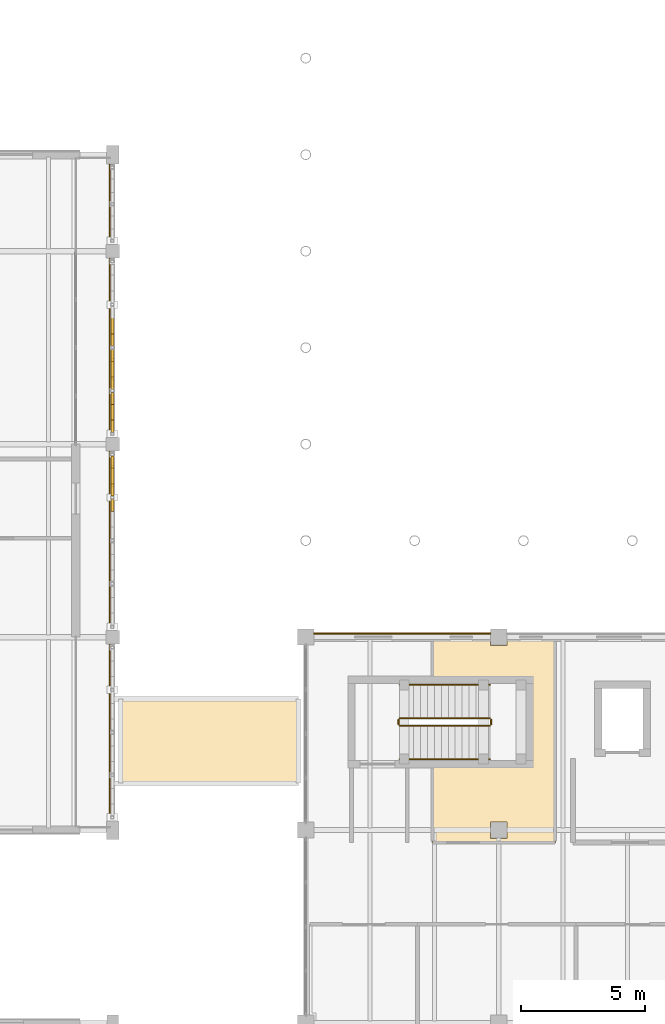
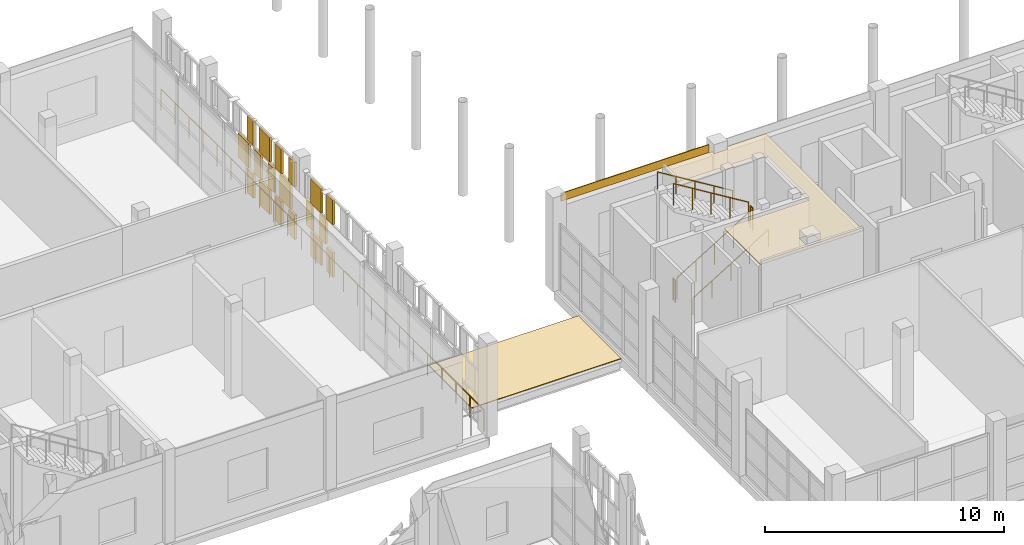
# One storey, part 124 of 138: 21 coverings, 7 railings.
"""IFC4 building model written with IfcOpenShell, lengths in metres."""

import ifcopenshell
import ifcopenshell.guid

model = None  # the IFC model being written
_history = None  # IfcOwnerHistory: only IFC2X3 demands one
_inside = {}  # id of a spatial element -> (the spatial element, [elements in it])
_under = {}  # id of a project, library or spatial element -> (it, [spatial elements below it])
_declared = {}  # id of a project -> (the project, [libraries it declares])
_typed = {}  # id of a type object -> (the type object, [elements of that type])
_made_of = {}  # id of a material, layer set ... -> (it, [elements and type objects made of it])


def new_model(schema):
    """Start an empty IFC model of exactly this schema.

    Asked for "IFC4X3", IfcOpenShell would pick the latest addendum, in which some entities
    have other attributes; the version numbers below select the first issue.
    IFC2X3 requires an IfcOwnerHistory on every rooted entity: one is made here for all.
    """
    global model, _history
    if schema == "IFC4X3":
        model = ifcopenshell.file(schema_version=(4, 3, 0, 0))
    else:
        model = ifcopenshell.file(schema=schema)
    _inside.clear()
    _under.clear()
    _declared.clear()
    _typed.clear()
    _made_of.clear()
    _history = None
    if model.schema == "IFC2X3":
        org = make("IfcOrganization", Name="unknown")
        user = make(
            "IfcPersonAndOrganization",
            ThePerson=make("IfcPerson", FamilyName="unknown"),
            TheOrganization=org,
        )
        app = make(
            "IfcApplication",
            ApplicationDeveloper=org,
            Version="unknown",
            ApplicationFullName="unknown",
            ApplicationIdentifier="unknown",
        )
        _history = make(
            "IfcOwnerHistory",
            OwningUser=user,
            OwningApplication=app,
            ChangeAction="ADDED",
            CreationDate=0,
        )
    return model


def make(cls, **values):
    """One entity of the class cls with the attributes given. An attribute that is None is left unset."""
    return model.create_entity(
        cls, **{name: value for name, value in values.items() if value is not None}
    )


def rooted(cls, **values):
    """An entity with a GlobalId (a new one), such as an element, a storey or a relation."""
    return make(cls, GlobalId=ifcopenshell.guid.new(), OwnerHistory=_history, **values)


def si_unit(unit_type, name, prefix=None):
    """IfcSIUnit, for example si_unit("LENGTHUNIT", "METRE", prefix="MILLI")."""
    return make("IfcSIUnit", UnitType=unit_type, Prefix=prefix, Name=name)


def assignment(units):
    """IfcUnitAssignment: the units of a project."""
    return None if units is None else make("IfcUnitAssignment", Units=units)


def point(xyz):
    """IfcCartesianPoint."""
    return None if xyz is None else make("IfcCartesianPoint", Coordinates=xyz)


def direction(xyz):
    """IfcDirection."""
    return None if xyz is None else make("IfcDirection", DirectionRatios=xyz)


def frame(location, z_axis=None, x_axis=None):
    """IfcAxis2Placement3D, a coordinate frame: its origin and axes. An axis left out is left unset."""
    return make(
        "IfcAxis2Placement3D",
        Location=point(location),
        Axis=direction(z_axis),
        RefDirection=direction(x_axis),
    )


def frame_2d(location, x_axis=None):
    """IfcAxis2Placement2D, a coordinate frame in the plane: its origin and x axis."""
    return make(
        "IfcAxis2Placement2D", Location=point(location), RefDirection=direction(x_axis)
    )


def origin():
    """The frame at (0, 0, 0) with its axes left unset."""
    return frame((0.0, 0.0, 0.0))


def origin_2d():
    """The frame at (0, 0) in the plane with its x axis left unset."""
    return frame_2d((0.0, 0.0))


def place(relative_to, where):
    """IfcLocalPlacement: puts the frame where relative to a parent placement (None: the world)."""
    return make(
        "IfcLocalPlacement", PlacementRelTo=relative_to, RelativePlacement=where
    )


def context(
    kind, dimensions, precision=None, world=None, true_north=None, identifier=None
):
    """IfcGeometricRepresentationContext, for example the 3D "Model" context."""
    return make(
        "IfcGeometricRepresentationContext",
        ContextIdentifier=identifier,
        ContextType=kind,
        CoordinateSpaceDimension=dimensions,
        Precision=precision,
        WorldCoordinateSystem=world,
        TrueNorth=true_north,
    )


def subcontext(parent, identifier, kind, view, scale=None):
    """IfcGeometricRepresentationSubContext, for example "Body" below "Model"."""
    return make(
        "IfcGeometricRepresentationSubContext",
        ContextIdentifier=identifier,
        ContextType=kind,
        ParentContext=parent,
        TargetScale=scale,
        TargetView=view,
    )


def project(units=None, contexts=None):
    """IfcProject with its units and contexts."""
    return rooted(
        "IfcProject",
        Name="project",
        RepresentationContexts=contexts,
        UnitsInContext=assignment(units),
    )


def spatial(cls, under=None, at=None, **own):
    """A site, building, storey or space (cls), placed at a placement, below another one or the project."""
    s = rooted(cls, ObjectPlacement=at, **own)
    if under is not None:
        _under.setdefault(under.id(), (under, []))[1].append(s)
    return s


def polyline(points):
    """IfcPolyline through the points."""
    return make("IfcPolyline", Points=[point(p) for p in points])


def profile(cls, at=None, kind="AREA", **sizes):
    """A parametric profile (cls). Its sizes go by their IFC names, for example OverallWidth=200.0."""
    return make(cls, ProfileType=kind, Position=at, **sizes)


def rectangle(**sizes):
    """IfcRectangleProfileDef."""
    return profile("IfcRectangleProfileDef", **sizes)


def circle(**sizes):
    """IfcCircleProfileDef."""
    return profile("IfcCircleProfileDef", **sizes)


def outline(outer, holes=None, kind="AREA"):
    """IfcArbitraryClosedProfileDef: a profile drawn as a closed curve; with holes, ...WithVoids."""
    if holes is None:
        return make("IfcArbitraryClosedProfileDef", ProfileType=kind, OuterCurve=outer)
    return make(
        "IfcArbitraryProfileDefWithVoids",
        ProfileType=kind,
        OuterCurve=outer,
        InnerCurves=holes,
    )


def extrude(swept, where, along, depth):
    """IfcExtrudedAreaSolid: the profile swept, set in the frame where, extruded along a direction by depth."""
    return make(
        "IfcExtrudedAreaSolid",
        SweptArea=swept,
        Position=where,
        ExtrudedDirection=direction(along),
        Depth=depth,
    )


def shape(context_of_items, identifier, shape_type, items):
    """IfcShapeRepresentation: the items that make up one representation, for example the "Body"."""
    return make(
        "IfcShapeRepresentation",
        ContextOfItems=context_of_items,
        RepresentationIdentifier=identifier,
        RepresentationType=shape_type,
        Items=items,
    )


def material(Name=None, Category=None):
    """IfcMaterial."""
    return make("IfcMaterial", Name=Name, Category=Category)


def layer(
    of_material, thickness, ventilated=None, Name=None, Category=None, Priority=None
):
    """IfcMaterialLayer: one layer of a wall or slab, of a material (None: an air gap)."""
    return make(
        "IfcMaterialLayer",
        Material=of_material,
        LayerThickness=thickness,
        IsVentilated=ventilated,
        Name=Name,
        Category=Category,
        Priority=Priority,
    )


def layer_set(layers, Name=None):
    """IfcMaterialLayerSet."""
    return make("IfcMaterialLayerSet", MaterialLayers=layers, LayerSetName=Name)


def made_of(thing, what):
    """Note that an element or type object is made of a material, layer set ...; save() writes the relation."""
    if what is not None:
        _made_of.setdefault(what.id(), (what, []))[1].append(thing)
    return thing


def type_object(cls, material=None, **own):
    """A type object (cls), such as IfcWallType, which elements share."""
    return made_of(rooted(cls, **own), material)


def element(
    cls,
    number,
    at=None,
    inside=None,
    cuts=None,
    type_object=None,
    material=None,
    context=None,
    identifier="Body",
    shape_type=None,
    held_by="IfcProductDefinitionShape",
    body=None,
    shapes=None,
    **own,
):
    """One element of the class cls, such as IfcWall. Its Tag is "e" and its number.

    at: its placement. inside: the storey or other place that contains it. cuts: it is an
    opening in that element (IfcRelVoidsElement). A single representation is given by context,
    identifier, shape_type and body (its items); several are given by shapes. held_by: the class
    of the entity that holds the representations. save() writes the other relations.
    """
    e = rooted(cls, Tag="e%d" % number, ObjectPlacement=at, **own)
    if body is not None:
        shapes = [shape(context, identifier, shape_type, body)]
    if shapes is not None:
        e.Representation = make(held_by, Representations=shapes)
    if inside is not None:
        _inside.setdefault(inside.id(), (inside, []))[1].append(e)
    if cuts is not None:
        rooted(
            "IfcRelVoidsElement", RelatingBuildingElement=cuts, RelatedOpeningElement=e
        )
    if type_object is not None:
        _typed.setdefault(type_object.id(), (type_object, []))[1].append(e)
    return made_of(e, material)


def aggregate(whole, parts):
    """IfcRelAggregates: a whole, such as a stair, and the parts it consists of."""
    return rooted("IfcRelAggregates", RelatingObject=whole, RelatedObjects=parts)


def save(model, path):
    """Write the relations noted so far, then the file.

    IfcRelAggregates (storeys below a building ...), IfcRelContainedInSpatialStructure (elements
    in a storey), IfcRelDefinesByType, IfcRelAssociatesMaterial and IfcRelDeclares: one each for
    every whole, place, type object, material and project.
    """
    for whole, parts in _under.values():
        aggregate(whole, parts)
    for where, things in _inside.values():
        rooted(
            "IfcRelContainedInSpatialStructure",
            RelatedElements=things,
            RelatingStructure=where,
        )
    for kind, things in _typed.values():
        rooted("IfcRelDefinesByType", RelatedObjects=things, RelatingType=kind)
    for what, things in _made_of.values():
        rooted("IfcRelAssociatesMaterial", RelatedObjects=things, RelatingMaterial=what)
    for by, libraries in _declared.values():
        rooted("IfcRelDeclares", RelatingContext=by, RelatedDefinitions=libraries)
    model.write(path)


model = new_model("IFC4")

# Units and contexts
model_context = context("Model", 3, precision=1e-05, world=origin(), true_north=direction((0.0, 1.0)))
body_context = subcontext(model_context, "Body", "Model", "MODEL_VIEW")
ifc_project = project(units=[si_unit("LENGTHUNIT", "METRE"), si_unit("AREAUNIT", "SQUARE_METRE"), si_unit("VOLUMEUNIT", "CUBIC_METRE"), si_unit("PLANEANGLEUNIT", "RADIAN"), si_unit("MASSUNIT", "GRAM", prefix="KILO")], contexts=[model_context])

# Site, building, storey
site_placement = place(None, origin())
site = spatial("IfcSite", under=ifc_project, at=site_placement, CompositionType="ELEMENT")
building_placement = place(site_placement, origin())
building = spatial("IfcBuilding", under=site, at=building_placement, Name="Celorna Specialist Clinic", CompositionType="ELEMENT")
storey_placement = place(building_placement, frame((0.0, 0.0, 4.800048828125)))
storey = spatial("IfcBuildingStorey", under=building, at=storey_placement, Name="L01", CompositionType="ELEMENT", Elevation=4.800048828125)

# Railing
ifc_material_1 = material(Name="Stainless steel and laminated glass balustrade", Category="steel")
railing_type_1 = type_object("IfcRailingType", Name="BL-01", PredefinedType="BALUSTRADE", material=ifc_material_1)
railing_1_placement = place(storey_placement, frame((46.679931640625, 62.280029296875, 0.0)))
element("IfcRailing", 1, at=railing_1_placement, inside=storey, type_object=railing_type_1, Name="Imaging Cloister Veranda perimeter balustrade 3", PredefinedType="BALUSTRADE", context=body_context, shape_type="SweptSolid", body=[
    extrude(circle(Radius=0.02392578125, at=origin_2d()), frame((0.0, 0.0, 1.09619140625), z_axis=(0.0, -1.0, 0.0), x_axis=(1.0, 0.0, 0.0)), (0.0, 0.0, 1.0), 27.06005859375),
    extrude(circle(Radius=0.02099609375, at=origin_2d()), origin(), (0.0, 0.0, 1.0), 1.072021484375),
    extrude(circle(Radius=0.02099609375, at=origin_2d()), frame((0.0, -1.176513671875, 0.0)), (0.0, 0.0, 1.0), 1.072021484375),
    extrude(circle(Radius=0.02099609375, at=origin_2d()), frame((0.0, -2.35302734375, 0.0)), (0.0, 0.0, 1.0), 1.072021484375),
    extrude(circle(Radius=0.02099609375, at=origin_2d()), frame((0.0, -3.529541015625, 0.0)), (0.0, 0.0, 1.0), 1.072021484375),
    extrude(circle(Radius=0.02099609375, at=origin_2d()), frame((0.0, -4.7060546875, 0.0)), (0.0, 0.0, 1.0), 1.072021484375),
    extrude(circle(Radius=0.02099609375, at=origin_2d()), frame((0.0, -5.882568359375, 0.0)), (0.0, 0.0, 1.0), 1.072021484375),
    extrude(circle(Radius=0.02099609375, at=origin_2d()), frame((0.0, -7.05908203125, 0.0)), (0.0, 0.0, 1.0), 1.072021484375),
    extrude(circle(Radius=0.02099609375, at=origin_2d()), frame((0.0, -8.235595703125, 0.0)), (0.0, 0.0, 1.0), 1.072021484375),
    extrude(circle(Radius=0.02099609375, at=origin_2d()), frame((0.0, -9.412109375, 0.0)), (0.0, 0.0, 1.0), 1.072021484375),
    extrude(circle(Radius=0.02099609375, at=origin_2d()), frame((0.0, -10.588623046875, 0.0)), (0.0, 0.0, 1.0), 1.072021484375),
    extrude(circle(Radius=0.02099609375, at=origin_2d()), frame((0.0, -11.76513671875, 0.0)), (0.0, 0.0, 1.0), 1.072021484375),
    extrude(circle(Radius=0.02099609375, at=origin_2d()), frame((0.0, -12.941650390625, 0.0)), (0.0, 0.0, 1.0), 1.072021484375),
    extrude(circle(Radius=0.02099609375, at=origin_2d()), frame((0.0, -14.118408203125, 0.0)), (0.0, 0.0, 1.0), 1.072021484375),
    extrude(circle(Radius=0.02099609375, at=origin_2d()), frame((0.0, -15.294921875, 0.0)), (0.0, 0.0, 1.0), 1.072021484375),
    extrude(circle(Radius=0.02099609375, at=origin_2d()), frame((0.0, -16.471435546875, 0.0)), (0.0, 0.0, 1.0), 1.072021484375),
    extrude(circle(Radius=0.02099609375, at=origin_2d()), frame((0.0, -17.64794921875, 0.0)), (0.0, 0.0, 1.0), 1.072021484375),
    extrude(circle(Radius=0.02099609375, at=origin_2d()), frame((0.0, -18.824462890625, 0.0)), (0.0, 0.0, 1.0), 1.072021484375),
    extrude(circle(Radius=0.02099609375, at=origin_2d()), frame((0.0, -20.0009765625, 0.0)), (0.0, 0.0, 1.0), 1.072021484375),
    extrude(circle(Radius=0.02099609375, at=origin_2d()), frame((0.0, -21.177490234375, 0.0)), (0.0, 0.0, 1.0), 1.072021484375),
    extrude(circle(Radius=0.02099609375, at=origin_2d()), frame((0.0, -22.35400390625, 0.0)), (0.0, 0.0, 1.0), 1.072021484375),
    extrude(circle(Radius=0.02099609375, at=origin_2d()), frame((0.0, -23.530517578125, 0.0)), (0.0, 0.0, 1.0), 1.072021484375),
    extrude(circle(Radius=0.02099609375, at=origin_2d()), frame((0.0, -24.70703125, 0.0)), (0.0, 0.0, 1.0), 1.072021484375),
    extrude(circle(Radius=0.02099609375, at=origin_2d()), frame((0.0, -25.883544921875, 0.0)), (0.0, 0.0, 1.0), 1.072021484375),
    extrude(circle(Radius=0.02099609375, at=origin_2d()), frame((0.0, -27.06005859375, 0.0)), (0.0, 0.0, 1.0), 1.072021484375),
])

# Coverings
ifc_material_2 = material(Name="Hygienic acoustic mineral-fibre ceiling")
ifc_layer_1 = layer(ifc_material_2, 0.030029296875, Name="Hygienic acoustic mineral-fibre ceiling")
ifc_layer_set_1 = layer_set([ifc_layer_1], Name="Hygienic acoustic mineral-fibre ceiling")
covering_type_1 = type_object("IfcCoveringType", Name="CE-01", PredefinedType="CEILING", material=ifc_layer_set_1)
covering_1_placement = place(storey_placement, frame((0.0, 0.0, 4.329833984375)))
element("IfcCovering", 2, at=covering_1_placement, inside=storey, type_object=covering_type_1, Name="Acoustic ceiling L01-113", PredefinedType="CEILING", context=body_context, shape_type="SweptSolid", body=[
    extrude(outline(polyline([(64.68505859375, 42.7451171875), (64.68505859375, 34.5849609375), (59.705078125, 34.5849609375), (59.705078125, 37.635009765625), (63.784912109375, 37.635009765625), (63.784912109375, 41.304931640625), (59.705078125, 41.304931640625), (59.705078125, 42.7451171875), (62.070068359375, 42.7451171875), (62.070068359375, 42.570068359375), (62.72998046875, 42.570068359375), (62.72998046875, 42.7451171875), (64.68505859375, 42.7451171875)]), holes=[polyline([(62.72998046875, 35.429931640625), (62.070068359375, 35.429931640625), (62.070068359375, 34.77001953125), (62.72998046875, 34.77001953125), (62.72998046875, 35.429931640625)])]), origin(), (0.0, 0.0, 1.0), 0.030029296875),
])
ifc_material_3 = material(Name="Pero Pinheiro Lioz limestone rainscreen cladding", Category="masonry")
ifc_layer_2 = layer(ifc_material_3, 0.044921875, Name="Pero Pinheiro Lioz limestone rainscreen cladding")
ifc_layer_set_2 = layer_set([ifc_layer_2], Name="Pero Pinheiro Lioz limestone rainscreen cladding")
covering_type_2 = type_object("IfcCoveringType", Name="CL-01", PredefinedType="CLADDING", material=ifc_layer_set_2)
covering_2_placement = place(storey_placement, frame((58.5, 43.047607421875, 4.139892578125), z_axis=(0.0, 0.0, 1.0), x_axis=(1.0, 0.0, 0.0)))
element("IfcCovering", 3, at=covering_2_placement, inside=storey, type_object=covering_type_2, Name="Lioz spandrel cladding #387", PredefinedType="CLADDING", context=body_context, shape_type="SweptSolid", body=[
    extrude(rectangle(XDim=7.14990234375, YDim=0.044921875, at=origin_2d()), origin(), (0.0, 0.0, 1.0), 0.39990234375),
])
ifc_material_4 = material(Name="Perforated terracotta brick weave cladding", Category="masonry")
ifc_layer_3 = layer(ifc_material_4, 0.114990234375, Name="Perforated terracotta brick weave cladding")
ifc_layer_set_3 = layer_set([ifc_layer_3], Name="Perforated terracotta brick weave cladding")
covering_type_3 = type_object("IfcCoveringType", Name="CL-02", PredefinedType="CLADDING", material=ifc_layer_set_3)
for number, where, z_axis, x_axis, name in (
    (4, (46.7900390625, 48.235107421875, 0.10009765625), (0.0, 0.0, 1.0), (0.0, 1.0, 0.0), "Woven perforated terracotta brick course #1284"),
    (5, (46.7900390625, 48.235107421875, 2.793212890625), (0.0, 0.0, 1.0), (0.0, 1.0, 0.0), "Woven perforated terracotta brick course #1287"),
):
    element("IfcCovering", number, at=place(storey_placement, frame(where, z_axis=z_axis, x_axis=x_axis)), inside=storey, type_object=covering_type_3, Name=name, PredefinedType="CLADDING", context=body_context, shape_type="SweptSolid", body=[
        extrude(rectangle(XDim=0.494873046875, YDim=0.114990234375, at=origin_2d()), origin(), (0.0, 0.0, 1.0), 1.24658203125),
    ])
covering_3_placement = place(storey_placement, frame((46.7900390625, 49.413818359375, 0.10009765625), z_axis=(0.0, 0.0, 1.0), x_axis=(0.0, 1.0, 0.0)))
element("IfcCovering", 6, at=covering_3_placement, inside=storey, type_object=covering_type_3, Name="Woven perforated terracotta brick course #1288", PredefinedType="CLADDING", context=body_context, shape_type="SweptSolid", body=[
    extrude(rectangle(XDim=0.876220703125, YDim=0.114990234375, at=origin_2d()), origin(), (0.0, 0.0, 1.0), 1.24658203125),
])
for number, where, z_axis, x_axis, name in (
    (7, (46.7900390625, 48.849853515625, 1.44677734375), (0.0, 0.0, 1.0), (0.0, 1.0, 0.0), "Woven perforated terracotta brick course #1289"),
    (8, (46.7900390625, 49.9775390625, 1.44677734375), (0.0, 0.0, 1.0), (0.0, 1.0, 0.0), "Woven perforated terracotta brick course #1290"),
):
    element("IfcCovering", number, at=place(storey_placement, frame(where, z_axis=z_axis, x_axis=x_axis)), inside=storey, type_object=covering_type_3, Name=name, PredefinedType="CLADDING", context=body_context, shape_type="SweptSolid", body=[
        extrude(rectangle(XDim=0.494873046875, YDim=0.114990234375, at=origin_2d()), origin(), (0.0, 0.0, 1.0), 1.24658203125),
    ])
covering_4_placement = place(storey_placement, frame((46.7900390625, 49.413818359375, 2.793212890625), z_axis=(0.0, 0.0, 1.0), x_axis=(0.0, 1.0, 0.0)))
element("IfcCovering", 9, at=covering_4_placement, inside=storey, type_object=covering_type_3, Name="Woven perforated terracotta brick course #1291", PredefinedType="CLADDING", context=body_context, shape_type="SweptSolid", body=[
    extrude(rectangle(XDim=0.876220703125, YDim=0.114990234375, at=origin_2d()), origin(), (0.0, 0.0, 1.0), 1.24658203125),
])
for number, where, z_axis, x_axis, name in (
    (10, (46.7900390625, 51.422607421875, 0.10009765625), (0.0, 0.0, 1.0), (0.0, 1.0, 0.0), "Woven perforated terracotta brick course #1292"),
    (11, (46.7900390625, 52.550048828125, 0.10009765625), (0.0, 0.0, 1.0), (0.0, 1.0, 0.0), "Woven perforated terracotta brick course #1293"),
):
    element("IfcCovering", number, at=place(storey_placement, frame(where, z_axis=z_axis, x_axis=x_axis)), inside=storey, type_object=covering_type_3, Name=name, PredefinedType="CLADDING", context=body_context, shape_type="SweptSolid", body=[
        extrude(rectangle(XDim=0.494873046875, YDim=0.114990234375, at=origin_2d()), origin(), (0.0, 0.0, 1.0), 1.24658203125),
    ])
covering_5_placement = place(storey_placement, frame((46.7900390625, 51.986083984375, 1.44677734375), z_axis=(0.0, 0.0, 1.0), x_axis=(0.0, 1.0, 0.0)))
element("IfcCovering", 12, at=covering_5_placement, inside=storey, type_object=covering_type_3, Name="Woven perforated terracotta brick course #1294", PredefinedType="CLADDING", context=body_context, shape_type="SweptSolid", body=[
    extrude(rectangle(XDim=0.876220703125, YDim=0.114990234375, at=origin_2d()), origin(), (0.0, 0.0, 1.0), 1.24658203125),
])
for number, where, z_axis, x_axis, name in (
    (13, (46.7900390625, 51.422607421875, 2.793212890625), (0.0, 0.0, 1.0), (0.0, 1.0, 0.0), "Woven perforated terracotta brick course #1295"),
    (14, (46.7900390625, 52.550048828125, 2.793212890625), (0.0, 0.0, 1.0), (0.0, 1.0, 0.0), "Woven perforated terracotta brick course #1296"),
):
    element("IfcCovering", number, at=place(storey_placement, frame(where, z_axis=z_axis, x_axis=x_axis)), inside=storey, type_object=covering_type_3, Name=name, PredefinedType="CLADDING", context=body_context, shape_type="SweptSolid", body=[
        extrude(rectangle(XDim=0.494873046875, YDim=0.114990234375, at=origin_2d()), origin(), (0.0, 0.0, 1.0), 1.24658203125),
    ])
covering_6_placement = place(storey_placement, frame((46.7900390625, 53.728759765625, 0.10009765625), z_axis=(0.0, 0.0, 1.0), x_axis=(0.0, 1.0, 0.0)))
element("IfcCovering", 15, at=covering_6_placement, inside=storey, type_object=covering_type_3, Name="Woven perforated terracotta brick course #1297", PredefinedType="CLADDING", context=body_context, shape_type="SweptSolid", body=[
    extrude(rectangle(XDim=0.876220703125, YDim=0.114990234375, at=origin_2d()), origin(), (0.0, 0.0, 1.0), 1.24658203125),
])
for number, where, z_axis, x_axis, name in (
    (16, (46.7900390625, 53.1650390625, 1.44677734375), (0.0, 0.0, 1.0), (0.0, 1.0, 0.0), "Woven perforated terracotta brick course #1298"),
    (17, (46.7900390625, 54.29248046875, 1.44677734375), (0.0, 0.0, 1.0), (0.0, 1.0, 0.0), "Woven perforated terracotta brick course #1299"),
):
    element("IfcCovering", number, at=place(storey_placement, frame(where, z_axis=z_axis, x_axis=x_axis)), inside=storey, type_object=covering_type_3, Name=name, PredefinedType="CLADDING", context=body_context, shape_type="SweptSolid", body=[
        extrude(rectangle(XDim=0.494873046875, YDim=0.114990234375, at=origin_2d()), origin(), (0.0, 0.0, 1.0), 1.24658203125),
    ])
covering_7_placement = place(storey_placement, frame((46.7900390625, 53.728759765625, 2.793212890625), z_axis=(0.0, 0.0, 1.0), x_axis=(0.0, 1.0, 0.0)))
element("IfcCovering", 18, at=covering_7_placement, inside=storey, type_object=covering_type_3, Name="Woven perforated terracotta brick course #1300", PredefinedType="CLADDING", context=body_context, shape_type="SweptSolid", body=[
    extrude(rectangle(XDim=0.876220703125, YDim=0.114990234375, at=origin_2d()), origin(), (0.0, 0.0, 1.0), 1.24658203125),
])
covering_8_placement = place(storey_placement, frame((46.7900390625, 54.907470703125, 0.10009765625), z_axis=(0.0, 0.0, 1.0), x_axis=(0.0, 1.0, 0.0)))
element("IfcCovering", 19, at=covering_8_placement, inside=storey, type_object=covering_type_3, Name="Woven perforated terracotta brick course #1301", PredefinedType="CLADDING", context=body_context, shape_type="SweptSolid", body=[
    extrude(rectangle(XDim=0.494873046875, YDim=0.114990234375, at=origin_2d()), origin(), (0.0, 0.0, 1.0), 1.24658203125),
])
covering_9_placement = place(storey_placement, frame((46.7900390625, 55.47119140625, 1.44677734375), z_axis=(0.0, 0.0, 1.0), x_axis=(0.0, 1.0, 0.0)))
element("IfcCovering", 20, at=covering_9_placement, inside=storey, type_object=covering_type_3, Name="Woven perforated terracotta brick course #1303", PredefinedType="CLADDING", context=body_context, shape_type="SweptSolid", body=[
    extrude(rectangle(XDim=0.876220703125, YDim=0.114990234375, at=origin_2d()), origin(), (0.0, 0.0, 1.0), 1.24658203125),
])
covering_10_placement = place(storey_placement, frame((46.7900390625, 54.907470703125, 2.793212890625), z_axis=(0.0, 0.0, 1.0), x_axis=(0.0, 1.0, 0.0)))
element("IfcCovering", 21, at=covering_10_placement, inside=storey, type_object=covering_type_3, Name="Woven perforated terracotta brick course #1304", PredefinedType="CLADDING", context=body_context, shape_type="SweptSolid", body=[
    extrude(rectangle(XDim=0.494873046875, YDim=0.114990234375, at=origin_2d()), origin(), (0.0, 0.0, 1.0), 1.24658203125),
])

# Railings
ifc_material_5 = material(Name="Powder-coated steel S355", Category="steel")
railing_type_2 = type_object("IfcRailingType", Name="GR-01", PredefinedType="GUARDRAIL", material=ifc_material_5)
railing_2_placement = place(storey_placement, frame((58.39990234375, 39.320068359375, 0.17138671875)))
element("IfcRailing", 22, at=railing_2_placement, inside=storey, type_object=railing_type_2, Name="L01 ST-08 stair guard 1", PredefinedType="GUARDRAIL", context=body_context, shape_type="SweptSolid", body=[
    extrude(circle(Radius=0.02392578125, at=origin_2d()), frame((0.0, 0.0, 1.09619140625), z_axis=(0.852865859571, 0.0, 0.52213008492), x_axis=(0.0, 1.0, 0.0)), (0.0, 0.0, 1.0), 4.26806640625),
    extrude(circle(Radius=0.02099609375, at=origin_2d()), origin(), (0.0, 0.0, 1.0), 1.072021484375),
    extrude(circle(Radius=0.02099609375, at=origin_2d()), frame((0.91015625, 0.0, 0.55712890625)), (0.0, 0.0, 1.0), 1.072021484375),
    extrude(circle(Radius=0.02099609375, at=origin_2d()), frame((1.820068359375, 0.0, 1.1142578125)), (0.0, 0.0, 1.0), 1.072021484375),
    extrude(circle(Radius=0.02099609375, at=origin_2d()), frame((2.72998046875, 0.0, 1.67138671875)), (0.0, 0.0, 1.0), 1.072021484375),
    extrude(circle(Radius=0.02099609375, at=origin_2d()), frame((3.64013671875, 0.0, 2.228515625)), (0.0, 0.0, 1.0), 1.072021484375),
])
railing_3_placement = place(storey_placement, frame((62.090087890625, 39.3701171875, 2.39990234375)))
element("IfcRailing", 23, at=railing_3_placement, inside=storey, type_object=railing_type_2, Name="L01 ST-08 stair guard 2", PredefinedType="GUARDRAIL", context=body_context, shape_type="SweptSolid", body=[
    extrude(circle(Radius=0.02392578125, at=origin_2d()), frame((0.0, 0.0, 1.09619140625), z_axis=(0.0, 1.0, 0.0), x_axis=(-1.0, 0.0, 0.0)), (0.0, 0.0, 1.0), 0.199951171875),
    extrude(circle(Radius=0.02099609375, at=origin_2d()), origin(), (0.0, 0.0, 1.0), 1.072021484375),
    extrude(circle(Radius=0.02099609375, at=origin_2d()), frame((0.0, 0.199951171875, 0.0)), (0.0, 0.0, 1.0), 1.072021484375),
])
railing_4_placement = place(storey_placement, frame((62.0400390625, 39.6201171875, 2.5712890625)))
element("IfcRailing", 24, at=railing_4_placement, inside=storey, type_object=railing_type_2, Name="L01 ST-08 stair guard 3", PredefinedType="GUARDRAIL", context=body_context, shape_type="SweptSolid", body=[
    extrude(circle(Radius=0.02392578125, at=origin_2d()), frame((0.0, 0.0, 1.09619140625), z_axis=(-0.852840387347, 0.0, 0.522171689878), x_axis=(0.0, -1.0, 0.0)), (0.0, 0.0, 1.0), 4.268310546875),
    extrude(circle(Radius=0.02099609375, at=origin_2d()), origin(), (0.0, 0.0, 1.0), 1.072021484375),
    extrude(circle(Radius=0.02099609375, at=origin_2d()), frame((-0.91015625, 0.0, 0.55712890625)), (0.0, 0.0, 1.0), 1.072021484375),
    extrude(circle(Radius=0.02099609375, at=origin_2d()), frame((-1.820068359375, 0.0, 1.1142578125)), (0.0, 0.0, 1.0), 1.072021484375),
    extrude(circle(Radius=0.02099609375, at=origin_2d()), frame((-2.72998046875, 0.0, 1.671630859375)), (0.0, 0.0, 1.0), 1.072021484375),
    extrude(circle(Radius=0.02099609375, at=origin_2d()), frame((-3.64013671875, 0.0, 2.228759765625)), (0.0, 0.0, 1.0), 1.072021484375),
])
railing_5_placement = place(storey_placement, frame((58.35009765625, 39.3701171875, 0.0)))
element("IfcRailing", 25, at=railing_5_placement, inside=storey, type_object=railing_type_2, Name="L01 ST-08 stair guard 4", PredefinedType="GUARDRAIL", context=body_context, shape_type="SweptSolid", body=[
    extrude(circle(Radius=0.02392578125, at=origin_2d()), frame((0.0, 0.0, 1.09619140625), z_axis=(0.0, 1.0, 0.0), x_axis=(-1.0, 0.0, 0.0)), (0.0, 0.0, 1.0), 0.199951171875),
    extrude(circle(Radius=0.02099609375, at=origin_2d()), origin(), (0.0, 0.0, 1.0), 1.072021484375),
    extrude(circle(Radius=0.02099609375, at=origin_2d()), frame((0.0, 0.199951171875, 0.0)), (0.0, 0.0, 1.0), 1.072021484375),
])
ifc_material_6 = material(Name="Brushed stainless steel handrail", Category="steel")
railing_type_3 = type_object("IfcRailingType", Name="HR-01", PredefinedType="HANDRAIL", material=ifc_material_6)
railing_6_placement = place(storey_placement, frame((58.39990234375, 37.969970703125, 0.17138671875)))
element("IfcRailing", 26, at=railing_6_placement, inside=storey, type_object=railing_type_3, Name="L01 ST-08 stair handrail 1", PredefinedType="HANDRAIL", context=body_context, shape_type="SweptSolid", body=[
    extrude(circle(Radius=0.02392578125, at=origin_2d()), frame((0.0, 0.0, 0.8759765625), z_axis=(0.852865859571, 0.0, 0.52213008492), x_axis=(0.0, 1.0, 0.0)), (0.0, 0.0, 1.0), 4.26806640625),
    extrude(circle(Radius=0.02099609375, at=origin_2d()), origin(), (0.0, 0.0, 1.0), 0.851806640625),
    extrude(circle(Radius=0.02099609375, at=origin_2d()), frame((0.91015625, 0.0, 0.55712890625)), (0.0, 0.0, 1.0), 0.851806640625),
    extrude(circle(Radius=0.02099609375, at=origin_2d()), frame((1.820068359375, 0.0, 1.1142578125)), (0.0, 0.0, 1.0), 0.851806640625),
    extrude(circle(Radius=0.02099609375, at=origin_2d()), frame((2.72998046875, 0.0, 1.67138671875)), (0.0, 0.0, 1.0), 0.851806640625),
    extrude(circle(Radius=0.02099609375, at=origin_2d()), frame((3.64013671875, 0.0, 2.228515625)), (0.0, 0.0, 1.0), 0.851806640625),
])
railing_7_placement = place(storey_placement, frame((62.0400390625, 40.969970703125, 2.5712890625)))
element("IfcRailing", 27, at=railing_7_placement, inside=storey, type_object=railing_type_3, Name="L01 ST-08 stair handrail 2", PredefinedType="HANDRAIL", context=body_context, shape_type="SweptSolid", body=[
    extrude(circle(Radius=0.02392578125, at=origin_2d()), frame((0.0, 0.0, 0.8759765625), z_axis=(-0.852840387347, 0.0, 0.522171689878), x_axis=(0.0, -1.0, 0.0)), (0.0, 0.0, 1.0), 4.268310546875),
    extrude(circle(Radius=0.02099609375, at=origin_2d()), origin(), (0.0, 0.0, 1.0), 0.851806640625),
    extrude(circle(Radius=0.02099609375, at=origin_2d()), frame((-0.91015625, 0.0, 0.55712890625)), (0.0, 0.0, 1.0), 0.851806640625),
    extrude(circle(Radius=0.02099609375, at=origin_2d()), frame((-1.820068359375, 0.0, 1.1142578125)), (0.0, 0.0, 1.0), 0.851806640625),
    extrude(circle(Radius=0.02099609375, at=origin_2d()), frame((-2.72998046875, 0.0, 1.671630859375)), (0.0, 0.0, 1.0), 0.851806640625),
    extrude(circle(Radius=0.02099609375, at=origin_2d()), frame((-3.64013671875, 0.0, 2.228759765625)), (0.0, 0.0, 1.0), 0.851806640625),
])

# Covering
ifc_material_7 = material(Name="Standing-seam zinc and EPDM acoustic roofing membrane")
ifc_layer_4 = layer(ifc_material_7, 0.0400390625, Name="Standing-seam zinc and EPDM acoustic roofing membrane")
ifc_layer_set_4 = layer_set([ifc_layer_4], Name="Standing-seam zinc and EPDM acoustic roofing membrane")
covering_type_4 = type_object("IfcCoveringType", Name="RFG-01", PredefinedType="ROOFING", material=ifc_layer_set_4)
covering_11_placement = place(storey_placement, origin())
element("IfcCovering", 28, at=covering_11_placement, inside=storey, type_object=covering_type_4, Name="Cloister bridge BR-02 standing-seam roofing", PredefinedType="ROOFING", context=body_context, shape_type="SweptSolid", body=[
    extrude(outline(polyline([(47.06005859375, 36.89990234375), (54.300048828125, 36.89990234375), (54.300048828125, 40.5), (47.06005859375, 40.5), (47.06005859375, 36.89990234375)])), origin(), (0.0, 0.0, 1.0), 0.0400390625),
])

save(model, "model.ifc")
